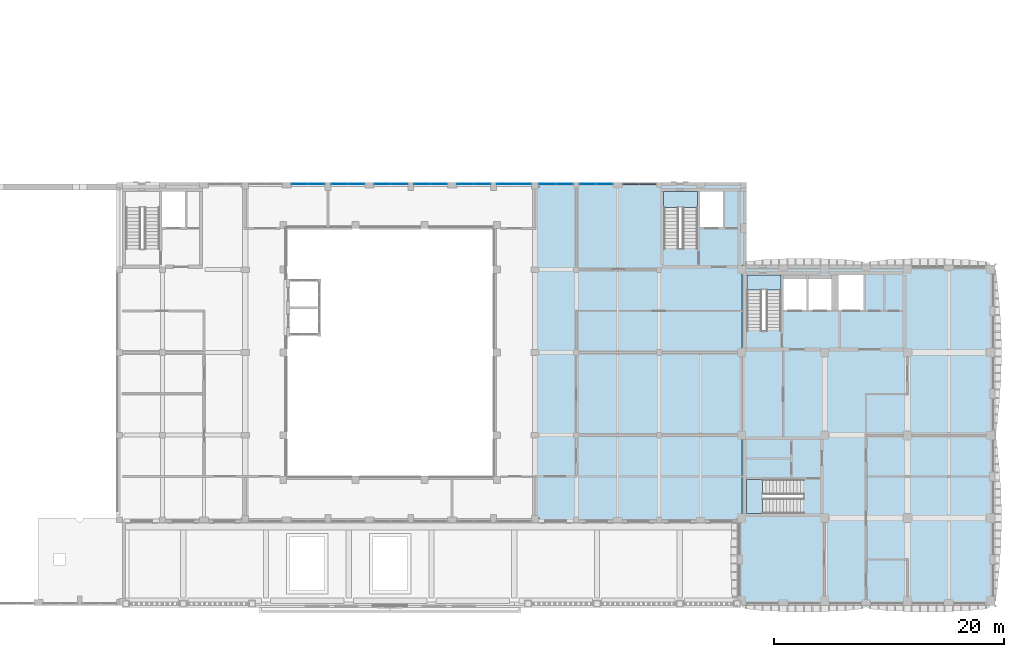
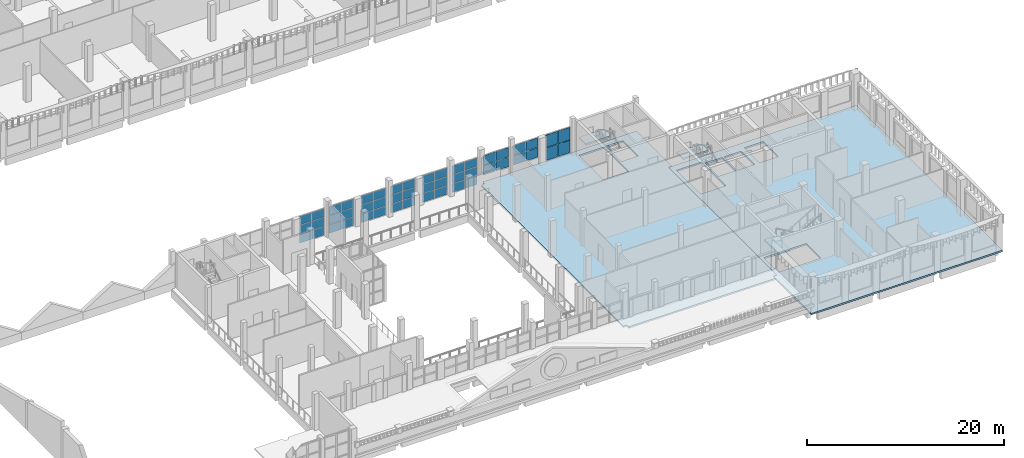
# One storey, part 18 of 58: 48 plates, 5 slabs, 12 elements without a shape of their own.
"""IFC4 building model written with IfcOpenShell, lengths in metres."""

from ifc_helpers import new_model, si_unit, direction, frame, origin, origin_2d, place, context, subcontext, project, spatial, polyline, rectangle, outline, extrude, material, layer, layer_set, type_object, element, aggregate, save


model = new_model("IFC4")

# Units and contexts
model_context = context("Model", 3, precision=1e-05, world=origin(), true_north=direction((0.0, 1.0)))
body_context = subcontext(model_context, "Body", "Model", "MODEL_VIEW")
ifc_project = project(units=[si_unit("LENGTHUNIT", "METRE"), si_unit("AREAUNIT", "SQUARE_METRE"), si_unit("VOLUMEUNIT", "CUBIC_METRE"), si_unit("PLANEANGLEUNIT", "RADIAN"), si_unit("MASSUNIT", "GRAM", prefix="KILO")], contexts=[model_context])

# Site, building, storey
site_placement = place(None, origin())
site = spatial("IfcSite", under=ifc_project, at=site_placement, CompositionType="ELEMENT")
building_placement = place(site_placement, origin())
building = spatial("IfcBuilding", under=site, at=building_placement, Name="Ussher Court Research Institute", CompositionType="ELEMENT")
storey_placement = place(building_placement, frame((0.0, 0.0, 9.89990234375)))
storey = spatial("IfcBuildingStorey", under=building, at=storey_placement, Name="L02", CompositionType="ELEMENT", Elevation=9.89990234375)

# Curtain wall, plates
ifc_material_1 = material(Name="Bronze anodised aluminium with fire-resisting glass", Category="aluminium")
ifc_layer_1 = layer(ifc_material_1, 0.1201171875)
ifc_layer_set_1 = layer_set([ifc_layer_1], Name="Bronze anodised aluminium with fire-resisting glass")
curtain_wall_type_1 = type_object("IfcCurtainWallType", Name="Curtain wall stair-side fire-resisting glazing", PredefinedType="NOTDEFINED", material=ifc_layer_set_1)
curtain_wall_1_placement = place(storey_placement, origin())
curtain_wall_1 = element("IfcCurtainWall", 1, at=curtain_wall_1_placement, inside=storey, type_object=curtain_wall_type_1, Name="Curtain wall CW13 L02", PredefinedType="NOTDEFINED")
ifc_material_2 = material(Name="Fire-resisting laminated glazed unit")
ifc_layer_2 = layer(ifc_material_2, 0.090087890625)
ifc_layer_set_2 = layer_set([ifc_layer_2], Name="Fire-resisting laminated glazed unit")
plate_type_1 = type_object("IfcPlateType", Name="Fire-resisting glazing panel EI 60 90 mm", PredefinedType="CURTAIN_PANEL", material=ifc_layer_set_2)
plate_1_placement = place(storey_placement, frame((72.552490234375, 40.25, 0.2099609375), z_axis=(0.0, 0.0, 1.0), x_axis=(1.0, 0.0, 0.0)))
plate_1 = element("IfcPlate", 2, at=plate_1_placement, type_object=plate_type_1, Name="CW13 panel 1.1", PredefinedType="CURTAIN_PANEL", context=body_context, shape_type="SweptSolid", body=[
    extrude(rectangle(XDim=1.385009765625, YDim=0.090087890625, at=origin_2d()), origin(), (0.0, 0.0, 1.0), 1.534912109375),
])
plate_2_placement = place(storey_placement, frame((72.552490234375, 40.25, 1.80517578125), z_axis=(0.0, 0.0, 1.0), x_axis=(1.0, 0.0, 0.0)))
plate_2 = element("IfcPlate", 3, at=plate_2_placement, type_object=plate_type_1, Name="CW13 panel 1.2", PredefinedType="CURTAIN_PANEL", context=body_context, shape_type="SweptSolid", body=[
    extrude(rectangle(XDim=1.385009765625, YDim=0.090087890625, at=origin_2d()), origin(), (0.0, 0.0, 1.0), 1.534912109375),
])
plate_3_placement = place(storey_placement, frame((73.99755859375, 40.25, 0.2099609375), z_axis=(0.0, 0.0, 1.0), x_axis=(1.0, 0.0, 0.0)))
plate_3 = element("IfcPlate", 4, at=plate_3_placement, type_object=plate_type_1, Name="CW13 panel 2.1", PredefinedType="CURTAIN_PANEL", context=body_context, shape_type="SweptSolid", body=[
    extrude(rectangle(XDim=1.385009765625, YDim=0.090087890625, at=origin_2d()), origin(), (0.0, 0.0, 1.0), 1.534912109375),
])
plate_4_placement = place(storey_placement, frame((73.99755859375, 40.25, 1.80517578125), z_axis=(0.0, 0.0, 1.0), x_axis=(1.0, 0.0, 0.0)))
plate_4 = element("IfcPlate", 5, at=plate_4_placement, type_object=plate_type_1, Name="CW13 panel 2.2", PredefinedType="CURTAIN_PANEL", context=body_context, shape_type="SweptSolid", body=[
    extrude(rectangle(XDim=1.385009765625, YDim=0.090087890625, at=origin_2d()), origin(), (0.0, 0.0, 1.0), 1.534912109375),
])
aggregate(curtain_wall_1, [plate_1, plate_2, plate_3, plate_4])

# Slabs
ifc_material_3 = material(Name="Concrete C35/45", Category="concrete")
ifc_layer_3 = layer(ifc_material_3, 0.199951171875)
ifc_layer_set_3 = layer_set([ifc_layer_3], Name="Concrete C35/45")
slab_type_1 = type_object("IfcSlabType", Name="Floor slab 200", PredefinedType="FLOOR", material=ifc_layer_set_3)
slab_1_placement = place(storey_placement, frame((0.0, 0.0, -0.199951171875)))
element("IfcSlab", 6, at=slab_1_placement, inside=storey, type_object=slab_type_1, Name="FS200 V4 L02-01", PredefinedType="FLOOR", context=body_context, shape_type="SweptSolid", body=[
    extrude(outline(polyline([(81.800048828125, 11.199951171875), (81.800048828125, 3.60009765625), (104.199951171875, 3.60009765625), (104.199951171875, 33.199951171875), (82.199951171875, 33.199951171875), (82.199951171875, 11.199951171875), (81.800048828125, 11.199951171875)]), holes=[polyline([(87.550048828125, 11.60009765625), (82.60009765625, 11.60009765625), (82.60009765625, 14.550048828125), (87.550048828125, 14.550048828125), (87.550048828125, 11.60009765625)]), polyline([(82.64990234375, 27.5), (82.64990234375, 32.35009765625), (85.60009765625, 32.35009765625), (85.60009765625, 27.5), (82.64990234375, 27.5)]), polyline([(85.800048828125, 29.300048828125), (85.800048828125, 32.0), (87.800048828125, 32.0), (87.800048828125, 29.300048828125), (85.800048828125, 29.300048828125)]), polyline([(88.0, 29.300048828125), (88.0, 32.0), (90.0, 32.0), (90.0, 29.300048828125), (88.0, 29.300048828125)]), polyline([(92.800048828125, 29.300048828125), (90.60009765625, 29.300048828125), (90.60009765625, 32.35009765625), (92.800048828125, 32.35009765625), (92.800048828125, 29.300048828125)])]), origin(), (0.0, 0.0, 1.0), 0.199951171875),
])
slab_2_placement = place(storey_placement, frame((0.0, 0.0, -0.199951171875)))
element("IfcSlab", 7, at=slab_2_placement, inside=storey, type_object=slab_type_1, Name="FS200 V7 L02-01", PredefinedType="FLOOR", context=body_context, shape_type="SweptSolid", body=[
    extrude(outline(polyline([(64.199951171875, 11.199951171875), (64.60009765625, 11.199951171875), (64.60009765625, 10.800048828125), (81.800048828125, 10.800048828125), (81.800048828125, 11.199951171875), (82.199951171875, 11.199951171875), (82.199951171875, 33.199951171875), (82.60009765625, 33.199951171875), (82.60009765625, 40.39990234375), (64.60009765625, 40.39990234375), (64.60009765625, 40.0), (64.199951171875, 40.0), (64.199951171875, 11.199951171875)]), holes=[polyline([(75.39990234375, 34.64990234375), (75.39990234375, 39.60009765625), (78.35009765625, 39.60009765625), (78.35009765625, 34.64990234375), (75.39990234375, 34.64990234375)]), polyline([(80.550048828125, 36.5), (78.550048828125, 36.5), (78.550048828125, 39.60009765625), (80.550048828125, 39.60009765625), (80.550048828125, 36.5)])]), origin(), (0.0, 0.0, 1.0), 0.199951171875),
])

# Curtain wall, plates
ifc_material_4 = material(Name="Bronze anodised aluminium with low-e glass", Category="aluminium")
ifc_layer_4 = layer(ifc_material_4, 0.1201171875)
ifc_layer_set_4 = layer_set([ifc_layer_4], Name="Bronze anodised aluminium with low-e glass")
curtain_wall_type_2 = type_object("IfcCurtainWallType", Name="Curtain wall atrium clear glazing", PredefinedType="NOTDEFINED", material=ifc_layer_set_4)
curtain_wall_2_placement = place(storey_placement, origin())
curtain_wall_2 = element("IfcCurtainWall", 8, at=curtain_wall_2_placement, inside=storey, type_object=curtain_wall_type_2, Name="Curtain wall CW2 L02", PredefinedType="NOTDEFINED")
ifc_material_5 = material(Name="Double glazed unit")
ifc_layer_5 = layer(ifc_material_5, 0.028076171875)
ifc_layer_set_5 = layer_set([ifc_layer_5], Name="Double glazed unit")
plate_type_2 = type_object("IfcPlateType", Name="Glazing panel 28 mm", PredefinedType="CURTAIN_PANEL", material=ifc_layer_set_5)
plate_5_placement = place(storey_placement, frame((43.75244140625, 40.25, 0.06005859375), z_axis=(0.0, 0.0, 1.0), x_axis=(1.0, 0.0, 0.0)))
plate_5 = element("IfcPlate", 9, at=plate_5_placement, type_object=plate_type_2, Name="CW2 panel 1.1", PredefinedType="CURTAIN_PANEL", context=body_context, shape_type="SweptSolid", body=[
    extrude(rectangle(XDim=1.385009765625, YDim=0.028076171875, at=origin_2d()), origin(), (0.0, 0.0, 1.0), 1.043212890625),
])
plate_6_placement = place(storey_placement, frame((43.75244140625, 40.25, 1.16357421875), z_axis=(0.0, 0.0, 1.0), x_axis=(1.0, 0.0, 0.0)))
plate_6 = element("IfcPlate", 10, at=plate_6_placement, type_object=plate_type_2, Name="CW2 panel 1.2", PredefinedType="CURTAIN_PANEL", context=body_context, shape_type="SweptSolid", body=[
    extrude(rectangle(XDim=1.385009765625, YDim=0.028076171875, at=origin_2d()), origin(), (0.0, 0.0, 1.0), 1.073486328125),
])
plate_7_placement = place(storey_placement, frame((43.75244140625, 40.25, 2.296875), z_axis=(0.0, 0.0, 1.0), x_axis=(1.0, 0.0, 0.0)))
plate_7 = element("IfcPlate", 11, at=plate_7_placement, type_object=plate_type_2, Name="CW2 panel 1.3", PredefinedType="CURTAIN_PANEL", context=body_context, shape_type="SweptSolid", body=[
    extrude(rectangle(XDim=1.385009765625, YDim=0.028076171875, at=origin_2d()), origin(), (0.0, 0.0, 1.0), 1.043212890625),
])
plate_8_placement = place(storey_placement, frame((45.197509765625, 40.25, 0.06005859375), z_axis=(0.0, 0.0, 1.0), x_axis=(1.0, 0.0, 0.0)))
plate_8 = element("IfcPlate", 12, at=plate_8_placement, type_object=plate_type_2, Name="CW2 panel 2.1", PredefinedType="CURTAIN_PANEL", context=body_context, shape_type="SweptSolid", body=[
    extrude(rectangle(XDim=1.385009765625, YDim=0.028076171875, at=origin_2d()), origin(), (0.0, 0.0, 1.0), 1.043212890625),
])
plate_9_placement = place(storey_placement, frame((45.197509765625, 40.25, 1.16357421875), z_axis=(0.0, 0.0, 1.0), x_axis=(1.0, 0.0, 0.0)))
plate_9 = element("IfcPlate", 13, at=plate_9_placement, type_object=plate_type_2, Name="CW2 panel 2.2", PredefinedType="CURTAIN_PANEL", context=body_context, shape_type="SweptSolid", body=[
    extrude(rectangle(XDim=1.385009765625, YDim=0.028076171875, at=origin_2d()), origin(), (0.0, 0.0, 1.0), 1.073486328125),
])
plate_10_placement = place(storey_placement, frame((45.197509765625, 40.25, 2.296875), z_axis=(0.0, 0.0, 1.0), x_axis=(1.0, 0.0, 0.0)))
plate_10 = element("IfcPlate", 14, at=plate_10_placement, type_object=plate_type_2, Name="CW2 panel 2.3", PredefinedType="CURTAIN_PANEL", context=body_context, shape_type="SweptSolid", body=[
    extrude(rectangle(XDim=1.385009765625, YDim=0.028076171875, at=origin_2d()), origin(), (0.0, 0.0, 1.0), 1.043212890625),
])
aggregate(curtain_wall_2, [plate_5, plate_6, plate_7, plate_8, plate_9, plate_10])

curtain_wall_3_placement = place(storey_placement, origin())
curtain_wall_3 = element("IfcCurtainWall", 15, at=curtain_wall_3_placement, inside=storey, type_object=curtain_wall_type_2, Name="Curtain wall CW2 L02", PredefinedType="NOTDEFINED")
plate_11_placement = place(storey_placement, frame((47.202392578125, 40.25, 0.06005859375), z_axis=(0.0, 0.0, 1.0), x_axis=(1.0, 0.0, 0.0)))
plate_11 = element("IfcPlate", 16, at=plate_11_placement, type_object=plate_type_2, Name="CW2 panel 1.1", PredefinedType="CURTAIN_PANEL", context=body_context, shape_type="SweptSolid", body=[
    extrude(rectangle(XDim=1.385009765625, YDim=0.028076171875, at=origin_2d()), origin(), (0.0, 0.0, 1.0), 1.043212890625),
])
plate_12_placement = place(storey_placement, frame((47.202392578125, 40.25, 1.16357421875), z_axis=(0.0, 0.0, 1.0), x_axis=(1.0, 0.0, 0.0)))
plate_12 = element("IfcPlate", 17, at=plate_12_placement, type_object=plate_type_2, Name="CW2 panel 1.2", PredefinedType="CURTAIN_PANEL", context=body_context, shape_type="SweptSolid", body=[
    extrude(rectangle(XDim=1.385009765625, YDim=0.028076171875, at=origin_2d()), origin(), (0.0, 0.0, 1.0), 1.073486328125),
])
plate_13_placement = place(storey_placement, frame((47.202392578125, 40.25, 2.296875), z_axis=(0.0, 0.0, 1.0), x_axis=(1.0, 0.0, 0.0)))
plate_13 = element("IfcPlate", 18, at=plate_13_placement, type_object=plate_type_2, Name="CW2 panel 1.3", PredefinedType="CURTAIN_PANEL", context=body_context, shape_type="SweptSolid", body=[
    extrude(rectangle(XDim=1.385009765625, YDim=0.028076171875, at=origin_2d()), origin(), (0.0, 0.0, 1.0), 1.043212890625),
])
plate_14_placement = place(storey_placement, frame((48.6474609375, 40.25, 0.06005859375), z_axis=(0.0, 0.0, 1.0), x_axis=(1.0, 0.0, 0.0)))
plate_14 = element("IfcPlate", 19, at=plate_14_placement, type_object=plate_type_2, Name="CW2 panel 2.1", PredefinedType="CURTAIN_PANEL", context=body_context, shape_type="SweptSolid", body=[
    extrude(rectangle(XDim=1.385009765625, YDim=0.028076171875, at=origin_2d()), origin(), (0.0, 0.0, 1.0), 1.043212890625),
])
plate_15_placement = place(storey_placement, frame((48.6474609375, 40.25, 1.16357421875), z_axis=(0.0, 0.0, 1.0), x_axis=(1.0, 0.0, 0.0)))
plate_15 = element("IfcPlate", 20, at=plate_15_placement, type_object=plate_type_2, Name="CW2 panel 2.2", PredefinedType="CURTAIN_PANEL", context=body_context, shape_type="SweptSolid", body=[
    extrude(rectangle(XDim=1.385009765625, YDim=0.028076171875, at=origin_2d()), origin(), (0.0, 0.0, 1.0), 1.073486328125),
])
plate_16_placement = place(storey_placement, frame((48.6474609375, 40.25, 2.296875), z_axis=(0.0, 0.0, 1.0), x_axis=(1.0, 0.0, 0.0)))
plate_16 = element("IfcPlate", 21, at=plate_16_placement, type_object=plate_type_2, Name="CW2 panel 2.3", PredefinedType="CURTAIN_PANEL", context=body_context, shape_type="SweptSolid", body=[
    extrude(rectangle(XDim=1.385009765625, YDim=0.028076171875, at=origin_2d()), origin(), (0.0, 0.0, 1.0), 1.043212890625),
])
aggregate(curtain_wall_3, [plate_11, plate_12, plate_13, plate_14, plate_15, plate_16])

curtain_wall_4_placement = place(storey_placement, origin())
curtain_wall_4 = element("IfcCurtainWall", 22, at=curtain_wall_4_placement, inside=storey, type_object=curtain_wall_type_2, Name="Curtain wall CW2 L02", PredefinedType="NOTDEFINED")
plate_17_placement = place(storey_placement, frame((50.952392578125, 40.25, 0.06005859375), z_axis=(0.0, 0.0, 1.0), x_axis=(1.0, 0.0, 0.0)))
plate_17 = element("IfcPlate", 23, at=plate_17_placement, type_object=plate_type_2, Name="CW2 panel 1.1", PredefinedType="CURTAIN_PANEL", context=body_context, shape_type="SweptSolid", body=[
    extrude(rectangle(XDim=1.385009765625, YDim=0.028076171875, at=origin_2d()), origin(), (0.0, 0.0, 1.0), 1.043212890625),
])
plate_18_placement = place(storey_placement, frame((50.952392578125, 40.25, 1.16357421875), z_axis=(0.0, 0.0, 1.0), x_axis=(1.0, 0.0, 0.0)))
plate_18 = element("IfcPlate", 24, at=plate_18_placement, type_object=plate_type_2, Name="CW2 panel 1.2", PredefinedType="CURTAIN_PANEL", context=body_context, shape_type="SweptSolid", body=[
    extrude(rectangle(XDim=1.385009765625, YDim=0.028076171875, at=origin_2d()), origin(), (0.0, 0.0, 1.0), 1.073486328125),
])
plate_19_placement = place(storey_placement, frame((50.952392578125, 40.25, 2.296875), z_axis=(0.0, 0.0, 1.0), x_axis=(1.0, 0.0, 0.0)))
plate_19 = element("IfcPlate", 25, at=plate_19_placement, type_object=plate_type_2, Name="CW2 panel 1.3", PredefinedType="CURTAIN_PANEL", context=body_context, shape_type="SweptSolid", body=[
    extrude(rectangle(XDim=1.385009765625, YDim=0.028076171875, at=origin_2d()), origin(), (0.0, 0.0, 1.0), 1.043212890625),
])
plate_20_placement = place(storey_placement, frame((52.3974609375, 40.25, 0.06005859375), z_axis=(0.0, 0.0, 1.0), x_axis=(1.0, 0.0, 0.0)))
plate_20 = element("IfcPlate", 26, at=plate_20_placement, type_object=plate_type_2, Name="CW2 panel 2.1", PredefinedType="CURTAIN_PANEL", context=body_context, shape_type="SweptSolid", body=[
    extrude(rectangle(XDim=1.385009765625, YDim=0.028076171875, at=origin_2d()), origin(), (0.0, 0.0, 1.0), 1.043212890625),
])
plate_21_placement = place(storey_placement, frame((52.3974609375, 40.25, 1.16357421875), z_axis=(0.0, 0.0, 1.0), x_axis=(1.0, 0.0, 0.0)))
plate_21 = element("IfcPlate", 27, at=plate_21_placement, type_object=plate_type_2, Name="CW2 panel 2.2", PredefinedType="CURTAIN_PANEL", context=body_context, shape_type="SweptSolid", body=[
    extrude(rectangle(XDim=1.385009765625, YDim=0.028076171875, at=origin_2d()), origin(), (0.0, 0.0, 1.0), 1.073486328125),
])
plate_22_placement = place(storey_placement, frame((52.3974609375, 40.25, 2.296875), z_axis=(0.0, 0.0, 1.0), x_axis=(1.0, 0.0, 0.0)))
plate_22 = element("IfcPlate", 28, at=plate_22_placement, type_object=plate_type_2, Name="CW2 panel 2.3", PredefinedType="CURTAIN_PANEL", context=body_context, shape_type="SweptSolid", body=[
    extrude(rectangle(XDim=1.385009765625, YDim=0.028076171875, at=origin_2d()), origin(), (0.0, 0.0, 1.0), 1.043212890625),
])
aggregate(curtain_wall_4, [plate_17, plate_18, plate_19, plate_20, plate_21, plate_22])

curtain_wall_5_placement = place(storey_placement, origin())
curtain_wall_5 = element("IfcCurtainWall", 29, at=curtain_wall_5_placement, inside=storey, type_object=curtain_wall_type_2, Name="Curtain wall CW2 L02", PredefinedType="NOTDEFINED")
plate_23_placement = place(storey_placement, frame((54.402587890625, 40.25, 0.06005859375), z_axis=(0.0, 0.0, 1.0), x_axis=(1.0, 0.0, 0.0)))
plate_23 = element("IfcPlate", 30, at=plate_23_placement, type_object=plate_type_2, Name="CW2 panel 1.1", PredefinedType="CURTAIN_PANEL", context=body_context, shape_type="SweptSolid", body=[
    extrude(rectangle(XDim=1.385009765625, YDim=0.028076171875, at=origin_2d()), origin(), (0.0, 0.0, 1.0), 1.043212890625),
])
plate_24_placement = place(storey_placement, frame((54.402587890625, 40.25, 1.16357421875), z_axis=(0.0, 0.0, 1.0), x_axis=(1.0, 0.0, 0.0)))
plate_24 = element("IfcPlate", 31, at=plate_24_placement, type_object=plate_type_2, Name="CW2 panel 1.2", PredefinedType="CURTAIN_PANEL", context=body_context, shape_type="SweptSolid", body=[
    extrude(rectangle(XDim=1.385009765625, YDim=0.028076171875, at=origin_2d()), origin(), (0.0, 0.0, 1.0), 1.073486328125),
])
plate_25_placement = place(storey_placement, frame((54.402587890625, 40.25, 2.296875), z_axis=(0.0, 0.0, 1.0), x_axis=(1.0, 0.0, 0.0)))
plate_25 = element("IfcPlate", 32, at=plate_25_placement, type_object=plate_type_2, Name="CW2 panel 1.3", PredefinedType="CURTAIN_PANEL", context=body_context, shape_type="SweptSolid", body=[
    extrude(rectangle(XDim=1.385009765625, YDim=0.028076171875, at=origin_2d()), origin(), (0.0, 0.0, 1.0), 1.043212890625),
])
plate_26_placement = place(storey_placement, frame((55.847412109375, 40.25, 0.06005859375), z_axis=(0.0, 0.0, 1.0), x_axis=(1.0, 0.0, 0.0)))
plate_26 = element("IfcPlate", 33, at=plate_26_placement, type_object=plate_type_2, Name="CW2 panel 2.1", PredefinedType="CURTAIN_PANEL", context=body_context, shape_type="SweptSolid", body=[
    extrude(rectangle(XDim=1.385009765625, YDim=0.028076171875, at=origin_2d()), origin(), (0.0, 0.0, 1.0), 1.043212890625),
])
plate_27_placement = place(storey_placement, frame((55.847412109375, 40.25, 1.16357421875), z_axis=(0.0, 0.0, 1.0), x_axis=(1.0, 0.0, 0.0)))
plate_27 = element("IfcPlate", 34, at=plate_27_placement, type_object=plate_type_2, Name="CW2 panel 2.2", PredefinedType="CURTAIN_PANEL", context=body_context, shape_type="SweptSolid", body=[
    extrude(rectangle(XDim=1.385009765625, YDim=0.028076171875, at=origin_2d()), origin(), (0.0, 0.0, 1.0), 1.073486328125),
])
plate_28_placement = place(storey_placement, frame((55.847412109375, 40.25, 2.296875), z_axis=(0.0, 0.0, 1.0), x_axis=(1.0, 0.0, 0.0)))
plate_28 = element("IfcPlate", 35, at=plate_28_placement, type_object=plate_type_2, Name="CW2 panel 2.3", PredefinedType="CURTAIN_PANEL", context=body_context, shape_type="SweptSolid", body=[
    extrude(rectangle(XDim=1.385009765625, YDim=0.028076171875, at=origin_2d()), origin(), (0.0, 0.0, 1.0), 1.043212890625),
])
aggregate(curtain_wall_5, [plate_23, plate_24, plate_25, plate_26, plate_27, plate_28])

curtain_wall_6_placement = place(storey_placement, origin())
curtain_wall_6 = element("IfcCurtainWall", 36, at=curtain_wall_6_placement, inside=storey, type_object=curtain_wall_type_2, Name="Curtain wall CW2 L02", PredefinedType="NOTDEFINED")
plate_29_placement = place(storey_placement, frame((58.152587890625, 40.25, 0.06005859375), z_axis=(0.0, 0.0, 1.0), x_axis=(1.0, 0.0, 0.0)))
plate_29 = element("IfcPlate", 37, at=plate_29_placement, type_object=plate_type_2, Name="CW2 panel 1.1", PredefinedType="CURTAIN_PANEL", context=body_context, shape_type="SweptSolid", body=[
    extrude(rectangle(XDim=1.385009765625, YDim=0.028076171875, at=origin_2d()), origin(), (0.0, 0.0, 1.0), 1.043212890625),
])
plate_30_placement = place(storey_placement, frame((58.152587890625, 40.25, 1.16357421875), z_axis=(0.0, 0.0, 1.0), x_axis=(1.0, 0.0, 0.0)))
plate_30 = element("IfcPlate", 38, at=plate_30_placement, type_object=plate_type_2, Name="CW2 panel 1.2", PredefinedType="CURTAIN_PANEL", context=body_context, shape_type="SweptSolid", body=[
    extrude(rectangle(XDim=1.385009765625, YDim=0.028076171875, at=origin_2d()), origin(), (0.0, 0.0, 1.0), 1.073486328125),
])
plate_31_placement = place(storey_placement, frame((58.152587890625, 40.25, 2.296875), z_axis=(0.0, 0.0, 1.0), x_axis=(1.0, 0.0, 0.0)))
plate_31 = element("IfcPlate", 39, at=plate_31_placement, type_object=plate_type_2, Name="CW2 panel 1.3", PredefinedType="CURTAIN_PANEL", context=body_context, shape_type="SweptSolid", body=[
    extrude(rectangle(XDim=1.385009765625, YDim=0.028076171875, at=origin_2d()), origin(), (0.0, 0.0, 1.0), 1.043212890625),
])
plate_32_placement = place(storey_placement, frame((59.597412109375, 40.25, 0.06005859375), z_axis=(0.0, 0.0, 1.0), x_axis=(1.0, 0.0, 0.0)))
plate_32 = element("IfcPlate", 40, at=plate_32_placement, type_object=plate_type_2, Name="CW2 panel 2.1", PredefinedType="CURTAIN_PANEL", context=body_context, shape_type="SweptSolid", body=[
    extrude(rectangle(XDim=1.385009765625, YDim=0.028076171875, at=origin_2d()), origin(), (0.0, 0.0, 1.0), 1.043212890625),
])
plate_33_placement = place(storey_placement, frame((59.597412109375, 40.25, 1.16357421875), z_axis=(0.0, 0.0, 1.0), x_axis=(1.0, 0.0, 0.0)))
plate_33 = element("IfcPlate", 41, at=plate_33_placement, type_object=plate_type_2, Name="CW2 panel 2.2", PredefinedType="CURTAIN_PANEL", context=body_context, shape_type="SweptSolid", body=[
    extrude(rectangle(XDim=1.385009765625, YDim=0.028076171875, at=origin_2d()), origin(), (0.0, 0.0, 1.0), 1.073486328125),
])
plate_34_placement = place(storey_placement, frame((59.597412109375, 40.25, 2.296875), z_axis=(0.0, 0.0, 1.0), x_axis=(1.0, 0.0, 0.0)))
plate_34 = element("IfcPlate", 42, at=plate_34_placement, type_object=plate_type_2, Name="CW2 panel 2.3", PredefinedType="CURTAIN_PANEL", context=body_context, shape_type="SweptSolid", body=[
    extrude(rectangle(XDim=1.385009765625, YDim=0.028076171875, at=origin_2d()), origin(), (0.0, 0.0, 1.0), 1.043212890625),
])
aggregate(curtain_wall_6, [plate_29, plate_30, plate_31, plate_32, plate_33, plate_34])

curtain_wall_7_placement = place(storey_placement, origin())
curtain_wall_7 = element("IfcCurtainWall", 43, at=curtain_wall_7_placement, inside=storey, type_object=curtain_wall_type_2, Name="Curtain wall CW2 L02", PredefinedType="NOTDEFINED")
plate_35_placement = place(storey_placement, frame((61.62744140625, 40.25, 0.06005859375), z_axis=(0.0, 0.0, 1.0), x_axis=(1.0, 0.0, 0.0)))
plate_35 = element("IfcPlate", 44, at=plate_35_placement, type_object=plate_type_2, Name="CW2 panel 1.1", PredefinedType="CURTAIN_PANEL", context=body_context, shape_type="SweptSolid", body=[
    extrude(rectangle(XDim=1.43505859375, YDim=0.028076171875, at=origin_2d()), origin(), (0.0, 0.0, 1.0), 1.043212890625),
])
plate_36_placement = place(storey_placement, frame((61.62744140625, 40.25, 1.16357421875), z_axis=(0.0, 0.0, 1.0), x_axis=(1.0, 0.0, 0.0)))
plate_36 = element("IfcPlate", 45, at=plate_36_placement, type_object=plate_type_2, Name="CW2 panel 1.2", PredefinedType="CURTAIN_PANEL", context=body_context, shape_type="SweptSolid", body=[
    extrude(rectangle(XDim=1.43505859375, YDim=0.028076171875, at=origin_2d()), origin(), (0.0, 0.0, 1.0), 1.073486328125),
])
plate_37_placement = place(storey_placement, frame((61.62744140625, 40.25, 2.296875), z_axis=(0.0, 0.0, 1.0), x_axis=(1.0, 0.0, 0.0)))
plate_37 = element("IfcPlate", 46, at=plate_37_placement, type_object=plate_type_2, Name="CW2 panel 1.3", PredefinedType="CURTAIN_PANEL", context=body_context, shape_type="SweptSolid", body=[
    extrude(rectangle(XDim=1.43505859375, YDim=0.028076171875, at=origin_2d()), origin(), (0.0, 0.0, 1.0), 1.043212890625),
])
plate_38_placement = place(storey_placement, frame((63.12255859375, 40.25, 0.06005859375), z_axis=(0.0, 0.0, 1.0), x_axis=(1.0, 0.0, 0.0)))
plate_38 = element("IfcPlate", 47, at=plate_38_placement, type_object=plate_type_2, Name="CW2 panel 2.1", PredefinedType="CURTAIN_PANEL", context=body_context, shape_type="SweptSolid", body=[
    extrude(rectangle(XDim=1.43505859375, YDim=0.028076171875, at=origin_2d()), origin(), (0.0, 0.0, 1.0), 1.043212890625),
])
plate_39_placement = place(storey_placement, frame((63.12255859375, 40.25, 1.16357421875), z_axis=(0.0, 0.0, 1.0), x_axis=(1.0, 0.0, 0.0)))
plate_39 = element("IfcPlate", 48, at=plate_39_placement, type_object=plate_type_2, Name="CW2 panel 2.2", PredefinedType="CURTAIN_PANEL", context=body_context, shape_type="SweptSolid", body=[
    extrude(rectangle(XDim=1.43505859375, YDim=0.028076171875, at=origin_2d()), origin(), (0.0, 0.0, 1.0), 1.073486328125),
])
plate_40_placement = place(storey_placement, frame((63.12255859375, 40.25, 2.296875), z_axis=(0.0, 0.0, 1.0), x_axis=(1.0, 0.0, 0.0)))
plate_40 = element("IfcPlate", 49, at=plate_40_placement, type_object=plate_type_2, Name="CW2 panel 2.3", PredefinedType="CURTAIN_PANEL", context=body_context, shape_type="SweptSolid", body=[
    extrude(rectangle(XDim=1.43505859375, YDim=0.028076171875, at=origin_2d()), origin(), (0.0, 0.0, 1.0), 1.043212890625),
])
aggregate(curtain_wall_7, [plate_35, plate_36, plate_37, plate_38, plate_39, plate_40])

ifc_material_6 = material(Name="Bronze anodised aluminium with insulated low-e glass", Category="aluminium")
ifc_layer_6 = layer(ifc_material_6, 0.1201171875)
ifc_layer_set_6 = layer_set([ifc_layer_6], Name="Bronze anodised aluminium with insulated low-e glass")
curtain_wall_type_3 = type_object("IfcCurtainWallType", Name="Curtain wall reading link court front", PredefinedType="NOTDEFINED", material=ifc_layer_set_6)
curtain_wall_8_placement = place(storey_placement, origin())
curtain_wall_8 = element("IfcCurtainWall", 50, at=curtain_wall_8_placement, inside=storey, type_object=curtain_wall_type_3, Name="Curtain wall CW7 L02", PredefinedType="NOTDEFINED")
ifc_material_7 = material(Name="Insulated glazed unit low-e")
ifc_layer_7 = layer(ifc_material_7, 0.06005859375)
ifc_layer_set_7 = layer_set([ifc_layer_7], Name="Insulated glazed unit low-e")
plate_type_3 = type_object("IfcPlateType", Name="Insulated glazing panel 60 mm", PredefinedType="CURTAIN_PANEL", material=ifc_layer_set_7)
plate_41_placement = place(storey_placement, frame((65.277587890625, 40.25, 0.9599609375), z_axis=(0.0, 0.0, 1.0), x_axis=(1.0, 0.0, 0.0)))
plate_41 = element("IfcPlate", 51, at=plate_41_placement, type_object=plate_type_3, Name="CW7 panel 1.1", PredefinedType="CURTAIN_PANEL", context=body_context, shape_type="SweptSolid", body=[
    extrude(rectangle(XDim=1.43505859375, YDim=0.06005859375, at=origin_2d()), origin(), (0.0, 0.0, 1.0), 1.159912109375),
])
plate_42_placement = place(storey_placement, frame((65.277587890625, 40.25, 2.18017578125), z_axis=(0.0, 0.0, 1.0), x_axis=(1.0, 0.0, 0.0)))
plate_42 = element("IfcPlate", 52, at=plate_42_placement, type_object=plate_type_3, Name="CW7 panel 1.2", PredefinedType="CURTAIN_PANEL", context=body_context, shape_type="SweptSolid", body=[
    extrude(rectangle(XDim=1.43505859375, YDim=0.06005859375, at=origin_2d()), origin(), (0.0, 0.0, 1.0), 1.159912109375),
])
plate_43_placement = place(storey_placement, frame((66.7724609375, 40.25, 0.9599609375), z_axis=(0.0, 0.0, 1.0), x_axis=(1.0, 0.0, 0.0)))
plate_43 = element("IfcPlate", 53, at=plate_43_placement, type_object=plate_type_3, Name="CW7 panel 2.1", PredefinedType="CURTAIN_PANEL", context=body_context, shape_type="SweptSolid", body=[
    extrude(rectangle(XDim=1.43505859375, YDim=0.06005859375, at=origin_2d()), origin(), (0.0, 0.0, 1.0), 1.159912109375),
])
plate_44_placement = place(storey_placement, frame((66.7724609375, 40.25, 2.18017578125), z_axis=(0.0, 0.0, 1.0), x_axis=(1.0, 0.0, 0.0)))
plate_44 = element("IfcPlate", 54, at=plate_44_placement, type_object=plate_type_3, Name="CW7 panel 2.2", PredefinedType="CURTAIN_PANEL", context=body_context, shape_type="SweptSolid", body=[
    extrude(rectangle(XDim=1.43505859375, YDim=0.06005859375, at=origin_2d()), origin(), (0.0, 0.0, 1.0), 1.159912109375),
])
aggregate(curtain_wall_8, [plate_41, plate_42, plate_43, plate_44])

curtain_wall_9_placement = place(storey_placement, origin())
curtain_wall_9 = element("IfcCurtainWall", 55, at=curtain_wall_9_placement, inside=storey, type_object=curtain_wall_type_3, Name="Curtain wall CW7 L02", PredefinedType="NOTDEFINED")
plate_45_placement = place(storey_placement, frame((68.802490234375, 40.25, 0.9599609375), z_axis=(0.0, 0.0, 1.0), x_axis=(1.0, 0.0, 0.0)))
plate_45 = element("IfcPlate", 56, at=plate_45_placement, type_object=plate_type_3, Name="CW7 panel 1.1", PredefinedType="CURTAIN_PANEL", context=body_context, shape_type="SweptSolid", body=[
    extrude(rectangle(XDim=1.385009765625, YDim=0.06005859375, at=origin_2d()), origin(), (0.0, 0.0, 1.0), 1.159912109375),
])
plate_46_placement = place(storey_placement, frame((68.802490234375, 40.25, 2.18017578125), z_axis=(0.0, 0.0, 1.0), x_axis=(1.0, 0.0, 0.0)))
plate_46 = element("IfcPlate", 57, at=plate_46_placement, type_object=plate_type_3, Name="CW7 panel 1.2", PredefinedType="CURTAIN_PANEL", context=body_context, shape_type="SweptSolid", body=[
    extrude(rectangle(XDim=1.385009765625, YDim=0.06005859375, at=origin_2d()), origin(), (0.0, 0.0, 1.0), 1.159912109375),
])
plate_47_placement = place(storey_placement, frame((70.24755859375, 40.25, 0.9599609375), z_axis=(0.0, 0.0, 1.0), x_axis=(1.0, 0.0, 0.0)))
plate_47 = element("IfcPlate", 58, at=plate_47_placement, type_object=plate_type_3, Name="CW7 panel 2.1", PredefinedType="CURTAIN_PANEL", context=body_context, shape_type="SweptSolid", body=[
    extrude(rectangle(XDim=1.385009765625, YDim=0.06005859375, at=origin_2d()), origin(), (0.0, 0.0, 1.0), 1.159912109375),
])
plate_48_placement = place(storey_placement, frame((70.24755859375, 40.25, 2.18017578125), z_axis=(0.0, 0.0, 1.0), x_axis=(1.0, 0.0, 0.0)))
plate_48 = element("IfcPlate", 59, at=plate_48_placement, type_object=plate_type_3, Name="CW7 panel 2.2", PredefinedType="CURTAIN_PANEL", context=body_context, shape_type="SweptSolid", body=[
    extrude(rectangle(XDim=1.385009765625, YDim=0.06005859375, at=origin_2d()), origin(), (0.0, 0.0, 1.0), 1.159912109375),
])
aggregate(curtain_wall_9, [plate_45, plate_46, plate_47, plate_48])

# Stair, slab
ifc_material_8 = material(Name="Concrete C35/45", Category="concrete")
stair_type_1 = type_object("IfcStairType", Name="Core stair 26 risers 173 mm x 300 going 1300 wide", PredefinedType="HALF_TURN_STAIR", material=ifc_material_8)
stair_1_placement = place(storey_placement, origin())
stair_1 = element("IfcStair", 60, at=stair_1_placement, inside=storey, type_object=stair_type_1, Name="L02 Stair E1", PredefinedType="HALF_TURN_STAIR")
ifc_material_9 = material(Name="Concrete C35/45", Category="concrete")
ifc_layer_8 = layer(ifc_material_9, 0.199951171875)
ifc_layer_set_8 = layer_set([ifc_layer_8], Name="Concrete C35/45")
slab_type_2 = type_object("IfcSlabType", Name="Stair landing 200 RC", PredefinedType="LANDING", material=ifc_layer_set_8)
slab_3_placement = place(storey_placement, frame((0.0, 0.0, 2.050048828125)))
slab_3 = element("IfcSlab", 61, at=slab_3_placement, type_object=slab_type_2, Name="E1 landing 1", PredefinedType="LANDING", context=body_context, shape_type="SweptSolid", body=[
    extrude(outline(polyline([(78.35009765625, 38.199951171875), (78.35009765625, 39.60009765625), (75.39990234375, 39.60009765625), (75.39990234375, 38.199951171875), (78.35009765625, 38.199951171875)])), origin(), (0.0, 0.0, 1.0), 0.199951171875),
])
aggregate(stair_1, [slab_3])

ifc_material_10 = material(Name="Concrete C35/45", Category="concrete")
stair_type_2 = type_object("IfcStairType", Name="Core stair 26 risers 173 mm x 300 going 1280 wide", PredefinedType="HALF_TURN_STAIR", material=ifc_material_10)
stair_2_placement = place(storey_placement, origin())
stair_2 = element("IfcStair", 62, at=stair_2_placement, inside=storey, type_object=stair_type_2, Name="L02 Stair T1", PredefinedType="HALF_TURN_STAIR")
slab_4_placement = place(storey_placement, frame((0.0, 0.0, 2.050048828125)))
slab_4 = element("IfcSlab", 63, at=slab_4_placement, type_object=slab_type_2, Name="T1 landing 1", PredefinedType="LANDING", context=body_context, shape_type="SweptSolid", body=[
    extrude(outline(polyline([(85.60009765625, 31.050048828125), (85.60009765625, 32.35009765625), (82.64990234375, 32.35009765625), (82.64990234375, 31.050048828125), (85.60009765625, 31.050048828125)])), origin(), (0.0, 0.0, 1.0), 0.199951171875),
])
aggregate(stair_2, [slab_4])

stair_3_placement = place(storey_placement, origin())
stair_3 = element("IfcStair", 64, at=stair_3_placement, inside=storey, type_object=stair_type_1, Name="L02 Stair T2", PredefinedType="HALF_TURN_STAIR")
slab_5_placement = place(storey_placement, frame((0.0, 0.0, 2.050048828125)))
slab_5 = element("IfcSlab", 65, at=slab_5_placement, type_object=slab_type_2, Name="T2 landing 1", PredefinedType="LANDING", context=body_context, shape_type="SweptSolid", body=[
    extrude(outline(polyline([(84.0, 14.550048828125), (82.60009765625, 14.550048828125), (82.60009765625, 11.60009765625), (84.0, 11.60009765625), (84.0, 14.550048828125)])), origin(), (0.0, 0.0, 1.0), 0.199951171875),
])
aggregate(stair_3, [slab_5])

save(model, "model.ifc")
